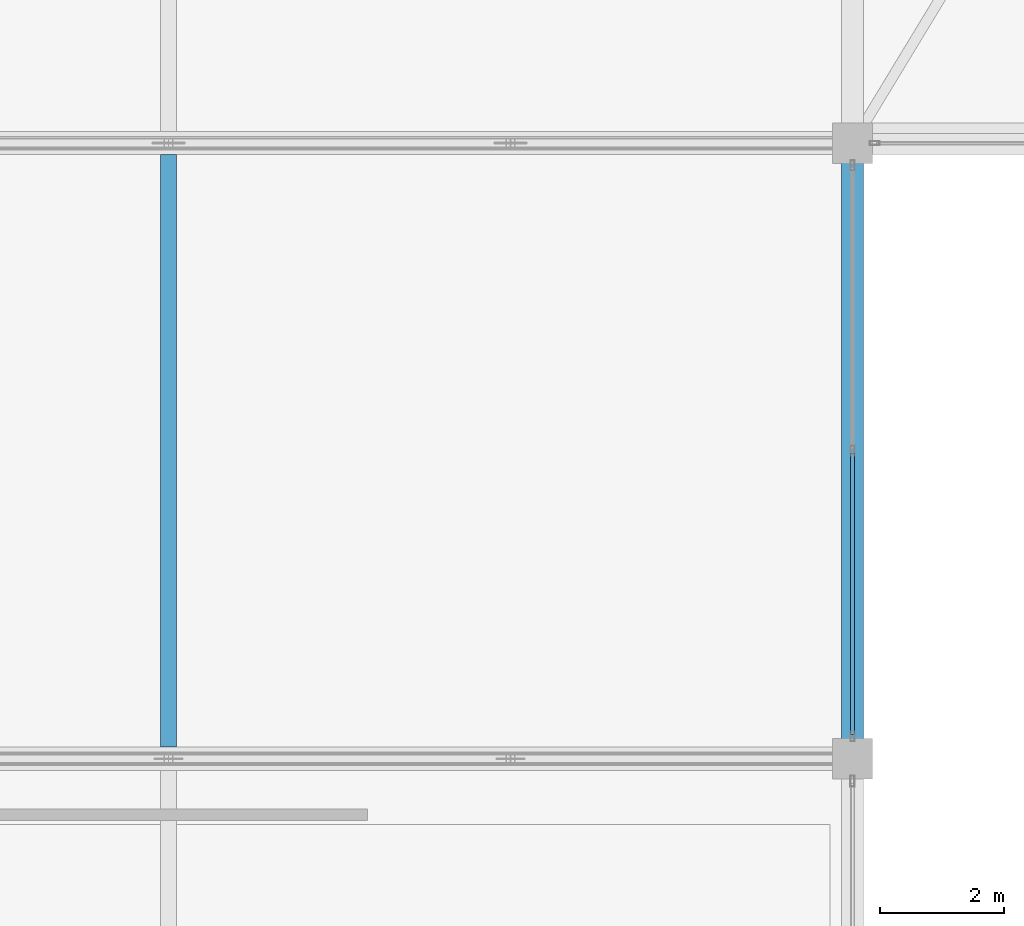
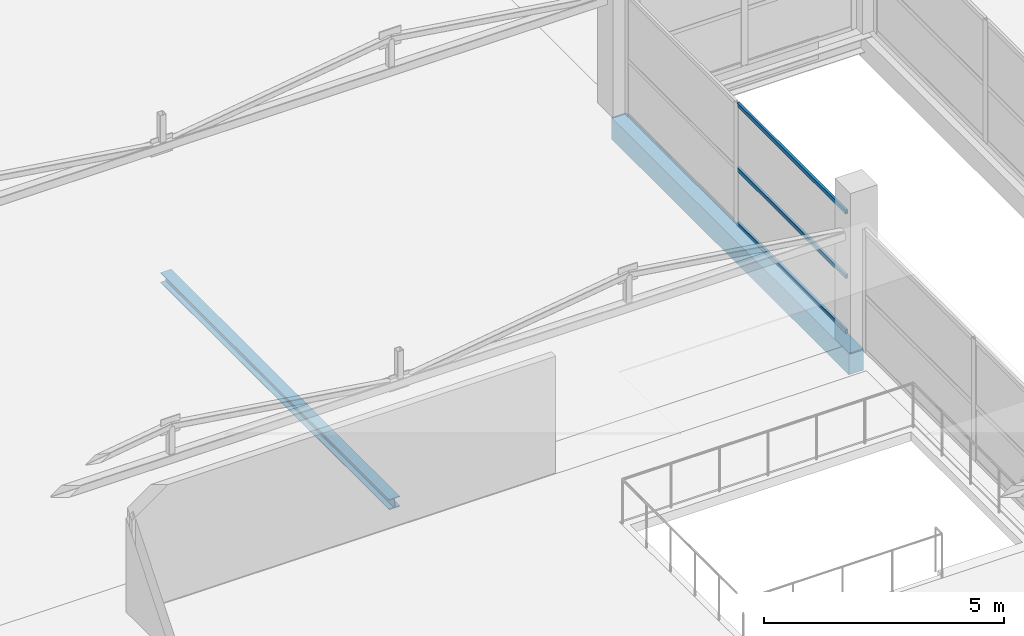
# One storey, part 26 of 66: 3 members, 2 beams, 1 element without a shape of its own.
"""IFC4 building model written with IfcOpenShell, lengths in metres."""

from ifc_helpers import new_model, si_unit, direction, frame, origin, origin_2d, place, context, subcontext, project, spatial, rectangle, hollow_rectangle, i_section, extrude, material, layer, layer_set, material_profile, profile_set, type_object, element, aggregate, save


model = new_model("IFC4")

# Units and contexts
model_context = context("Model", 3, precision=1e-05, world=origin(), true_north=direction((0.0, 1.0)))
body_context = subcontext(model_context, "Body", "Model", "MODEL_VIEW")
ifc_project = project(units=[si_unit("LENGTHUNIT", "METRE"), si_unit("AREAUNIT", "SQUARE_METRE"), si_unit("VOLUMEUNIT", "CUBIC_METRE"), si_unit("PLANEANGLEUNIT", "RADIAN"), si_unit("MASSUNIT", "GRAM", prefix="KILO")], contexts=[model_context])

# Site, building, storey
site_placement = place(None, origin())
site = spatial("IfcSite", under=ifc_project, at=site_placement, CompositionType="ELEMENT")
building_placement = place(site_placement, origin())
building = spatial("IfcBuilding", under=site, at=building_placement, Name="Sillaruma Civic Art Gallery", CompositionType="ELEMENT")
storey_placement = place(building_placement, frame((0.0, 0.0, 62.219970703125)))
storey = spatial("IfcBuildingStorey", under=building, at=storey_placement, Name="L12", CompositionType="ELEMENT", Elevation=62.219970703125)

# Beams
ifc_material_1 = material(Name="Structural Steel ASTM A992 Gr.50", Category="steel")
ifc_material_profile_1 = material_profile(ifc_material_1, i_section(OverallWidth=0.256103515625, OverallDepth=0.260009765625, WebThickness=0.0107421875, FlangeThickness=0.017333984375, FilletRadius=0.012939453125, at=origin_2d()), Name="W250x89")
ifc_profile_set_1 = profile_set([ifc_material_profile_1], Name="Structural Steel ASTM A992 Gr.50")
beam_type_1 = type_object("IfcBeamType", Name="BM-JOIST-W250x89", PredefinedType="JOIST", material=ifc_profile_set_1)
beam_1_placement = place(storey_placement, frame((81.0, 59.58544921875, -0.35986328125), z_axis=(0.0, 1.0, 0.0), x_axis=(-1.0, 0.0, 0.0)))
element("IfcBeam", 1, at=beam_1_placement, inside=storey, type_object=beam_type_1, Name="Long-Span Gallery Joist JS-04 (L11:7-8)", PredefinedType="JOIST", context=body_context, shape_type="SweptSolid", body=[
    extrude(i_section(OverallWidth=0.256103515625, OverallDepth=0.260009765625, WebThickness=0.0107421875, FlangeThickness=0.017333984375, FilletRadius=0.012939453125, at=origin_2d()), origin(), (0.0, 0.0, 1.0), 9.529052734375),
])
ifc_material_2 = material(Name="Concrete H35 (35 MPa)", Category="concrete")
ifc_material_profile_2 = material_profile(ifc_material_2, rectangle(XDim=0.35009765625, YDim=0.550048828125, at=origin_2d()), Name="RCB350x550")
ifc_profile_set_2 = profile_set([ifc_material_profile_2], Name="Concrete H35 (35 MPa)")
beam_type_2 = type_object("IfcBeamType", Name="BM-SPANDREL-RCB350x550", PredefinedType="SPANDREL", material=ifc_profile_set_2)
beam_2_placement = place(storey_placement, frame((92.0, 59.39990234375, -0.5048828125), z_axis=(0.0, 1.0, 0.0), x_axis=(-1.0, 0.0, 0.0)))
element("IfcBeam", 2, at=beam_2_placement, inside=storey, type_object=beam_type_2, Name="Beam BS-04 (L11:K:7-8)", PredefinedType="SPANDREL", context=body_context, shape_type="SweptSolid", body=[
    extrude(rectangle(XDim=0.35009765625, YDim=0.550048828125, at=origin_2d()), origin(), (0.0, 0.0, 1.0), 9.900146484375),
])

# Curtain wall, members
ifc_material_3 = material(Name="Thermally Broken Extruded Aluminium 6063-T6", Category="aluminium")
ifc_layer = layer(ifc_material_3, 0.159912109375, Name="Thermally Broken Extruded Aluminium 6063-T6")
ifc_layer_set = layer_set([ifc_layer], Name="Thermally Broken Extruded Aluminium 6063-T6")
curtain_wall_type = type_object("IfcCurtainWallType", Name="CW-UNI-94", PredefinedType="NOTDEFINED", material=ifc_layer_set)
curtain_wall_placement = place(storey_placement, origin())
curtain_wall = element("IfcCurtainWall", 3, at=curtain_wall_placement, inside=storey, type_object=curtain_wall_type, Name="Unitised Curtain Wall CW-94 (CW-L12-WBE-5)", PredefinedType="NOTDEFINED")
ifc_material_profile_3 = material_profile(ifc_material_3, hollow_rectangle(XDim=0.06005859375, YDim=0.10009765625, WallThickness=0.003173828125, at=origin_2d()), Name="CWT60x100")
ifc_profile_set_3 = profile_set([ifc_material_profile_3], Name="Thermally Broken Extruded Aluminium 6063-T6")
member_type = type_object("IfcMemberType", Name="MEM-TRN-CWT60x100", PredefinedType="USERDEFINED", material=ifc_profile_set_3)
member_1_placement = place(storey_placement, frame((92.0, 59.7900390625, 0.030029296875), z_axis=(0.0, 1.0, 0.0), x_axis=(-1.0, 0.0, 0.0)))
member_1 = element("IfcMember", 4, at=member_1_placement, type_object=member_type, Name="CW-94 transom 1.1", ObjectType="TRANSOM", PredefinedType="USERDEFINED", context=body_context, shape_type="SweptSolid", body=[
    extrude(hollow_rectangle(XDim=0.06005859375, YDim=0.10009765625, WallThickness=0.003173828125, at=origin_2d()), origin(), (0.0, 0.0, 1.0), 4.52734375),
])
member_2_placement = place(storey_placement, frame((92.0, 59.7900390625, 1.426025390625), z_axis=(0.0, 1.0, 0.0), x_axis=(-1.0, 0.0, 0.0)))
member_2 = element("IfcMember", 5, at=member_2_placement, type_object=member_type, Name="CW-94 transom 1.2", ObjectType="TRANSOM", PredefinedType="USERDEFINED", context=body_context, shape_type="SweptSolid", body=[
    extrude(hollow_rectangle(XDim=0.06005859375, YDim=0.10009765625, WallThickness=0.003173828125, at=origin_2d()), origin(), (0.0, 0.0, 1.0), 4.52734375),
])
member_3_placement = place(storey_placement, frame((92.0, 59.7900390625, 3.070068359375), z_axis=(0.0, 1.0, 0.0), x_axis=(-1.0, 0.0, 0.0)))
member_3 = element("IfcMember", 6, at=member_3_placement, type_object=member_type, Name="CW-94 transom 1.3", ObjectType="TRANSOM", PredefinedType="USERDEFINED", context=body_context, shape_type="SweptSolid", body=[
    extrude(hollow_rectangle(XDim=0.06005859375, YDim=0.10009765625, WallThickness=0.003173828125, at=origin_2d()), origin(), (0.0, 0.0, 1.0), 4.52734375),
])
aggregate(curtain_wall, [member_1, member_2, member_3])

save(model, "model.ifc")
